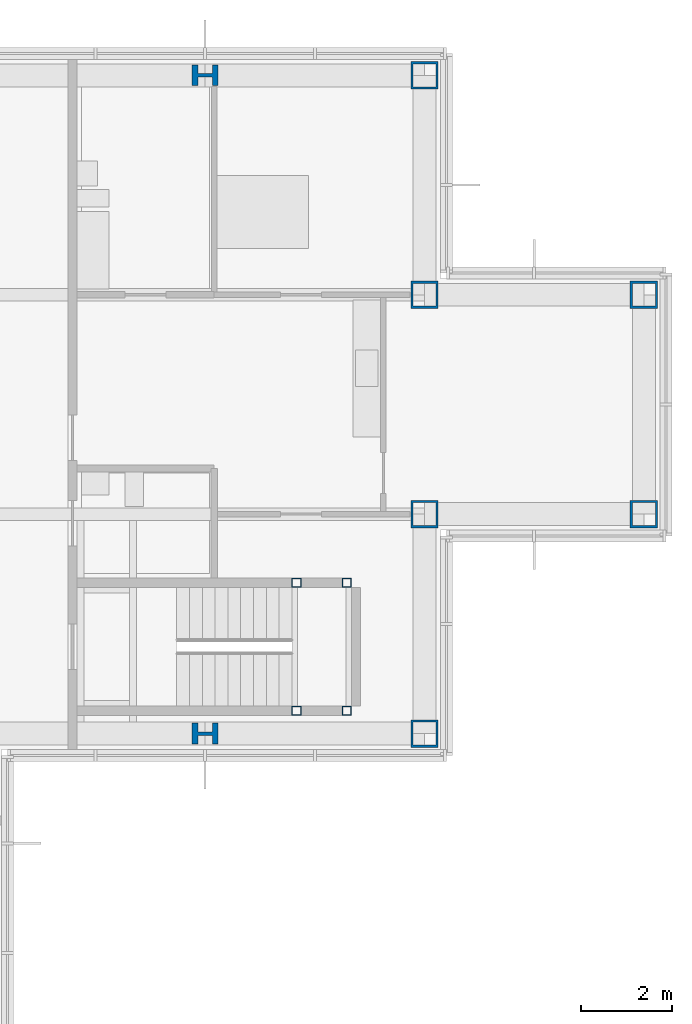
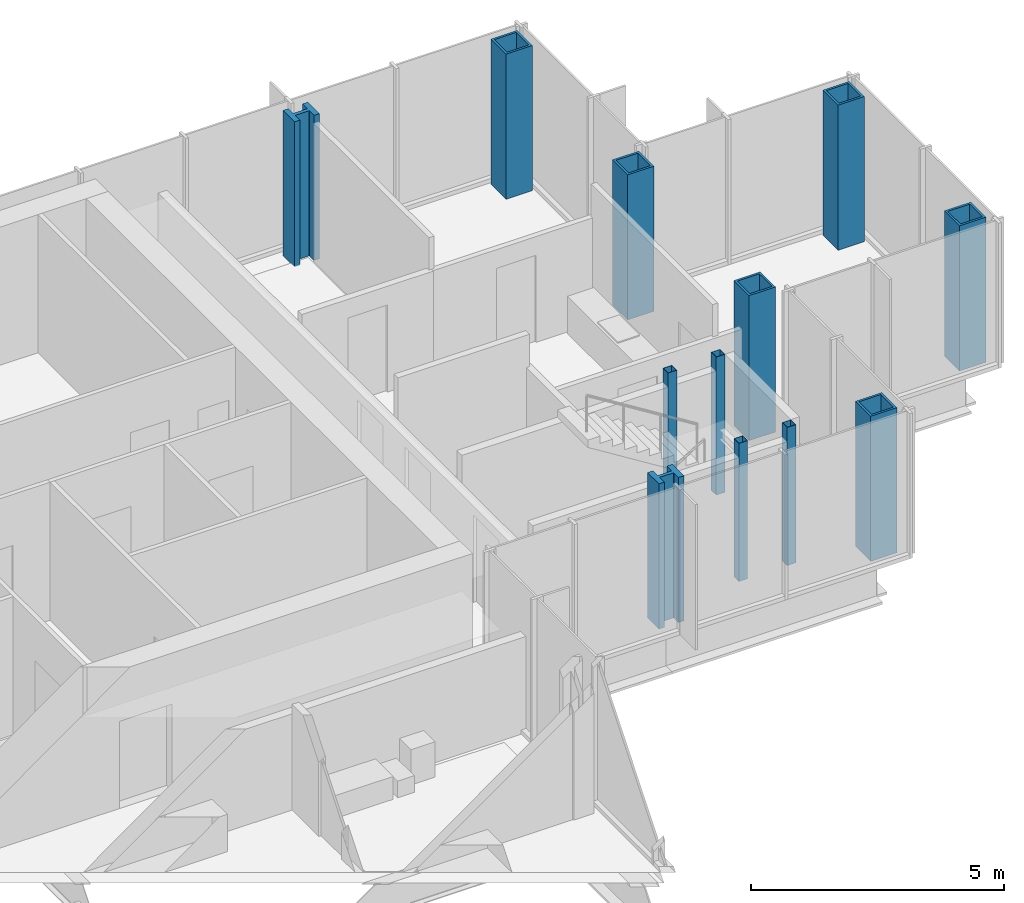
# One storey, part 4 of 15: 12 columns.
"""IFC4 building model written with IfcOpenShell, lengths in metres."""

from ifc_helpers import new_model, si_unit, direction, frame, origin, origin_2d, place, context, subcontext, project, spatial, hollow_rectangle, i_section, extrude, material, material_profile, profile_set, type_object, element, save


model = new_model("IFC4")

# Units and contexts
model_context = context("Model", 3, precision=1e-05, world=origin(), true_north=direction((0.0, 1.0)))
body_context = subcontext(model_context, "Body", "Model", "MODEL_VIEW")
ifc_project = project(units=[si_unit("LENGTHUNIT", "METRE"), si_unit("AREAUNIT", "SQUARE_METRE"), si_unit("VOLUMEUNIT", "CUBIC_METRE"), si_unit("PLANEANGLEUNIT", "RADIAN"), si_unit("MASSUNIT", "GRAM", prefix="KILO")], contexts=[model_context])

# Site, building, storey
site_placement = place(None, origin())
site = spatial("IfcSite", under=ifc_project, at=site_placement, CompositionType="ELEMENT")
building_placement = place(site_placement, origin())
building = spatial("IfcBuilding", under=site, at=building_placement, Name="Kvirike Care Tower", CompositionType="ELEMENT")
storey_placement = place(building_placement, frame((0.0, 0.0, 201.5)))
storey = spatial("IfcBuildingStorey", under=building, at=storey_placement, Name="L55", CompositionType="ELEMENT", Elevation=201.5)

# Columns
ifc_material_1 = material(Name="Steel S460", Category="steel")
ifc_material_profile_1 = material_profile(ifc_material_1, hollow_rectangle(XDim=0.60009765625, YDim=0.60009765625, WallThickness=0.050048828125, at=origin_2d()), Name="BX 600x600x50")
ifc_profile_set_1 = profile_set([ifc_material_profile_1], Name="Steel S460")
column_type_1 = type_object("IfcColumnType", Name="COLUMN BX 600x600x50", PredefinedType="COLUMN", material=ifc_profile_set_1)
for number, where, z_axis, x_axis, name in (
    (1, (38.39990234375, 28.800048828125, 0.0), (0.0, 0.0, 1.0), (0.0, 1.0, 0.0), "Column G11 L55"),
    (2, (38.39990234375, 33.60009765625, 0.0), (0.0, 0.0, 1.0), (0.0, 1.0, 0.0), "Column H11 L55"),
    (3, (38.39990234375, 38.39990234375, 0.0), (0.0, 0.0, 1.0), (0.0, 1.0, 0.0), "Column J11 L55"),
    (4, (38.39990234375, 43.199951171875, 0.0), (0.0, 0.0, 1.0), (0.0, 1.0, 0.0), "Column K11 L55"),
    (5, (43.199951171875, 33.60009765625, 0.0), (0.0, 0.0, 1.0), (0.0, 1.0, 0.0), "Column H12 L55"),
    (6, (43.199951171875, 38.39990234375, 0.0), (0.0, 0.0, 1.0), (0.0, 1.0, 0.0), "Column J12 L55"),
):
    element("IfcColumn", number, at=place(storey_placement, frame(where, z_axis=z_axis, x_axis=x_axis)), inside=storey, type_object=column_type_1, Name=name, PredefinedType="COLUMN", context=body_context, shape_type="SweptSolid", body=[
        extrude(hollow_rectangle(XDim=0.60009765625, YDim=0.60009765625, WallThickness=0.050048828125, at=origin_2d()), origin(), (0.0, 0.0, 1.0), 3.5),
    ])
ifc_material_2 = material(Name="Steel S460", Category="steel")
ifc_material_profile_2 = material_profile(ifc_material_2, i_section(OverallWidth=0.4541015625, OverallDepth=0.569091796875, WebThickness=0.077880859375, FlangeThickness=0.125, FilletRadius=0.014892578125, at=origin_2d()), Name="HD 400x1086")
ifc_profile_set_2 = profile_set([ifc_material_profile_2], Name="Steel S460")
column_type_2 = type_object("IfcColumnType", Name="COLUMN HD 400x1086", PredefinedType="COLUMN", material=ifc_profile_set_2)
for number, where, z_axis, x_axis, name in (
    (7, (33.60009765625, 28.800048828125, 0.0), (0.0, 0.0, 1.0), (0.0, 1.0, 0.0), "Column G10 L55"),
    (8, (33.60009765625, 43.199951171875, 0.0), (0.0, 0.0, 1.0), (0.0, 1.0, 0.0), "Column K10 L55"),
):
    element("IfcColumn", number, at=place(storey_placement, frame(where, z_axis=z_axis, x_axis=x_axis)), inside=storey, type_object=column_type_2, Name=name, PredefinedType="COLUMN", context=body_context, shape_type="SweptSolid", body=[
        extrude(i_section(OverallWidth=0.4541015625, OverallDepth=0.569091796875, WebThickness=0.077880859375, FlangeThickness=0.125, FilletRadius=0.014892578125, at=origin_2d()), origin(), (0.0, 0.0, 1.0), 3.5),
    ])
ifc_material_3 = material(Name="Steel S460", Category="steel")
ifc_material_profile_3 = material_profile(ifc_material_3, hollow_rectangle(XDim=0.199951171875, YDim=0.199951171875, WallThickness=0.008056640625, at=origin_2d()), Name="SHS 200x200x8")
ifc_profile_set_3 = profile_set([ifc_material_profile_3], Name="Steel S460")
column_type_3 = type_object("IfcColumnType", Name="STAIR POST SHS 200x200x8", PredefinedType="COLUMN", material=ifc_profile_set_3)
for number, where, z_axis, x_axis, name in (
    (9, (36.699951171875, 29.300048828125, 0.0), (0.0, 0.0, 1.0), (1.0, 0.0, 0.0), "Stair 2 post 1 L55"),
    (10, (36.699951171875, 32.10009765625, 0.0), (0.0, 0.0, 1.0), (1.0, 0.0, 0.0), "Stair 2 post 2 L55"),
    (11, (35.60009765625, 29.300048828125, 0.0), (0.0, 0.0, 1.0), (1.0, 0.0, 0.0), "Stair 2 post 3 L55"),
    (12, (35.60009765625, 32.10009765625, 0.0), (0.0, 0.0, 1.0), (1.0, 0.0, 0.0), "Stair 2 post 4 L55"),
):
    element("IfcColumn", number, at=place(storey_placement, frame(where, z_axis=z_axis, x_axis=x_axis)), inside=storey, type_object=column_type_3, Name=name, PredefinedType="COLUMN", context=body_context, shape_type="SweptSolid", body=[
        extrude(hollow_rectangle(XDim=0.199951171875, YDim=0.199951171875, WallThickness=0.008056640625, at=origin_2d()), origin(), (0.0, 0.0, 1.0), 3.330078125),
    ])

save(model, "model.ifc")
